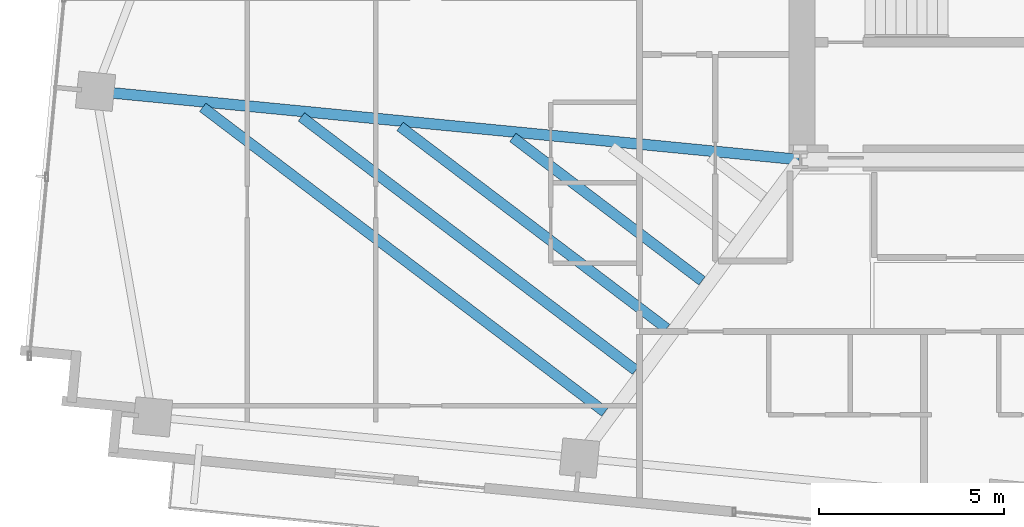
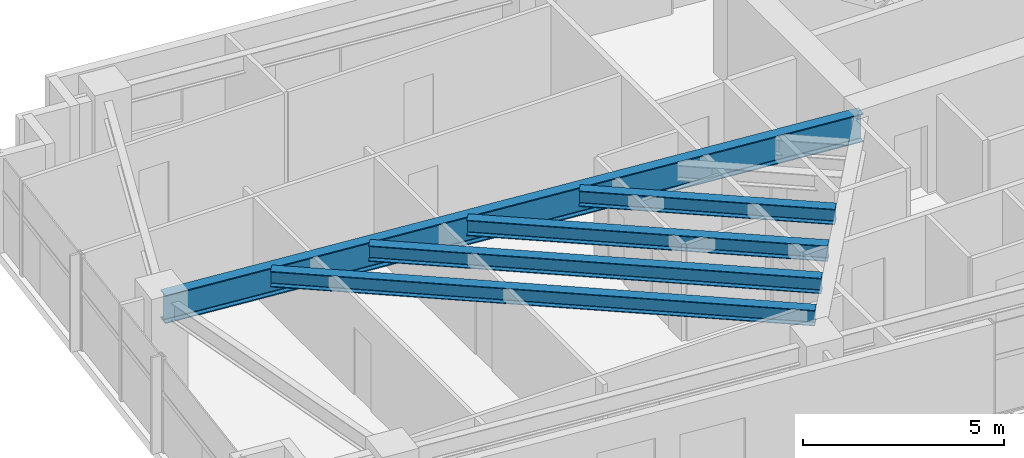
# One storey, part 3 of 19: 5 beams.
"""IFC4 building model written with IfcOpenShell, lengths in metres."""

import ifcopenshell
import ifcopenshell.guid

model = None  # the IFC model being written
_history = None  # IfcOwnerHistory: only IFC2X3 demands one
_inside = {}  # id of a spatial element -> (the spatial element, [elements in it])
_under = {}  # id of a project, library or spatial element -> (it, [spatial elements below it])
_declared = {}  # id of a project -> (the project, [libraries it declares])
_typed = {}  # id of a type object -> (the type object, [elements of that type])
_made_of = {}  # id of a material, layer set ... -> (it, [elements and type objects made of it])


def new_model(schema):
    """Start an empty IFC model of exactly this schema.

    Asked for "IFC4X3", IfcOpenShell would pick the latest addendum, in which some entities
    have other attributes; the version numbers below select the first issue.
    IFC2X3 requires an IfcOwnerHistory on every rooted entity: one is made here for all.
    """
    global model, _history
    if schema == "IFC4X3":
        model = ifcopenshell.file(schema_version=(4, 3, 0, 0))
    else:
        model = ifcopenshell.file(schema=schema)
    _inside.clear()
    _under.clear()
    _declared.clear()
    _typed.clear()
    _made_of.clear()
    _history = None
    if model.schema == "IFC2X3":
        org = make("IfcOrganization", Name="unknown")
        user = make(
            "IfcPersonAndOrganization",
            ThePerson=make("IfcPerson", FamilyName="unknown"),
            TheOrganization=org,
        )
        app = make(
            "IfcApplication",
            ApplicationDeveloper=org,
            Version="unknown",
            ApplicationFullName="unknown",
            ApplicationIdentifier="unknown",
        )
        _history = make(
            "IfcOwnerHistory",
            OwningUser=user,
            OwningApplication=app,
            ChangeAction="ADDED",
            CreationDate=0,
        )
    return model


def make(cls, **values):
    """One entity of the class cls with the attributes given. An attribute that is None is left unset."""
    return model.create_entity(
        cls, **{name: value for name, value in values.items() if value is not None}
    )


def rooted(cls, **values):
    """An entity with a GlobalId (a new one), such as an element, a storey or a relation."""
    return make(cls, GlobalId=ifcopenshell.guid.new(), OwnerHistory=_history, **values)


def si_unit(unit_type, name, prefix=None):
    """IfcSIUnit, for example si_unit("LENGTHUNIT", "METRE", prefix="MILLI")."""
    return make("IfcSIUnit", UnitType=unit_type, Prefix=prefix, Name=name)


def assignment(units):
    """IfcUnitAssignment: the units of a project."""
    return None if units is None else make("IfcUnitAssignment", Units=units)


def point(xyz):
    """IfcCartesianPoint."""
    return None if xyz is None else make("IfcCartesianPoint", Coordinates=xyz)


def direction(xyz):
    """IfcDirection."""
    return None if xyz is None else make("IfcDirection", DirectionRatios=xyz)


def frame(location, z_axis=None, x_axis=None):
    """IfcAxis2Placement3D, a coordinate frame: its origin and axes. An axis left out is left unset."""
    return make(
        "IfcAxis2Placement3D",
        Location=point(location),
        Axis=direction(z_axis),
        RefDirection=direction(x_axis),
    )


def frame_2d(location, x_axis=None):
    """IfcAxis2Placement2D, a coordinate frame in the plane: its origin and x axis."""
    return make(
        "IfcAxis2Placement2D", Location=point(location), RefDirection=direction(x_axis)
    )


def origin():
    """The frame at (0, 0, 0) with its axes left unset."""
    return frame((0.0, 0.0, 0.0))


def origin_2d():
    """The frame at (0, 0) in the plane with its x axis left unset."""
    return frame_2d((0.0, 0.0))


def place(relative_to, where):
    """IfcLocalPlacement: puts the frame where relative to a parent placement (None: the world)."""
    return make(
        "IfcLocalPlacement", PlacementRelTo=relative_to, RelativePlacement=where
    )


def context(
    kind, dimensions, precision=None, world=None, true_north=None, identifier=None
):
    """IfcGeometricRepresentationContext, for example the 3D "Model" context."""
    return make(
        "IfcGeometricRepresentationContext",
        ContextIdentifier=identifier,
        ContextType=kind,
        CoordinateSpaceDimension=dimensions,
        Precision=precision,
        WorldCoordinateSystem=world,
        TrueNorth=true_north,
    )


def subcontext(parent, identifier, kind, view, scale=None):
    """IfcGeometricRepresentationSubContext, for example "Body" below "Model"."""
    return make(
        "IfcGeometricRepresentationSubContext",
        ContextIdentifier=identifier,
        ContextType=kind,
        ParentContext=parent,
        TargetScale=scale,
        TargetView=view,
    )


def project(units=None, contexts=None):
    """IfcProject with its units and contexts."""
    return rooted(
        "IfcProject",
        Name="project",
        RepresentationContexts=contexts,
        UnitsInContext=assignment(units),
    )


def spatial(cls, under=None, at=None, **own):
    """A site, building, storey or space (cls), placed at a placement, below another one or the project."""
    s = rooted(cls, ObjectPlacement=at, **own)
    if under is not None:
        _under.setdefault(under.id(), (under, []))[1].append(s)
    return s


def profile(cls, at=None, kind="AREA", **sizes):
    """A parametric profile (cls). Its sizes go by their IFC names, for example OverallWidth=200.0."""
    return make(cls, ProfileType=kind, Position=at, **sizes)


def i_section(**sizes):
    """IfcIShapeProfileDef."""
    return profile("IfcIShapeProfileDef", **sizes)


def extrude(swept, where, along, depth):
    """IfcExtrudedAreaSolid: the profile swept, set in the frame where, extruded along a direction by depth."""
    return make(
        "IfcExtrudedAreaSolid",
        SweptArea=swept,
        Position=where,
        ExtrudedDirection=direction(along),
        Depth=depth,
    )


def shape(context_of_items, identifier, shape_type, items):
    """IfcShapeRepresentation: the items that make up one representation, for example the "Body"."""
    return make(
        "IfcShapeRepresentation",
        ContextOfItems=context_of_items,
        RepresentationIdentifier=identifier,
        RepresentationType=shape_type,
        Items=items,
    )


def source(mapping_origin, context_of_items, identifier, shape_type, items):
    """IfcRepresentationMap: a shape defined once, which mapped items show again and again."""
    return make(
        "IfcRepresentationMap",
        MappingOrigin=mapping_origin,
        MappedRepresentation=shape(context_of_items, identifier, shape_type, items),
    )


def transform(
    local_origin,
    x_axis=None,
    y_axis=None,
    z_axis=None,
    scale=None,
    scale2=None,
    scale3=None,
    uniform=True,
):
    """IfcCartesianTransformationOperator3D, or its non-uniform kind. x_axis, y_axis, z_axis: its Axis1, 2, 3."""
    if uniform:
        return make(
            "IfcCartesianTransformationOperator3D",
            Axis1=direction(x_axis),
            Axis2=direction(y_axis),
            LocalOrigin=point(local_origin),
            Scale=scale,
            Axis3=direction(z_axis),
        )
    return make(
        "IfcCartesianTransformationOperator3DnonUniform",
        Axis1=direction(x_axis),
        Axis2=direction(y_axis),
        LocalOrigin=point(local_origin),
        Scale=scale,
        Axis3=direction(z_axis),
        Scale2=scale2,
        Scale3=scale3,
    )


def mapped(mapping_source, mapping_target):
    """IfcMappedItem: shows the shape of a source again, moved by a transform."""
    return make(
        "IfcMappedItem", MappingSource=mapping_source, MappingTarget=mapping_target
    )


def material(Name=None, Category=None):
    """IfcMaterial."""
    return make("IfcMaterial", Name=Name, Category=Category)


def material_profile(
    of_material, cross_section, Name=None, Category=None, Priority=None
):
    """IfcMaterialProfile: a cross section and its material."""
    return make(
        "IfcMaterialProfile",
        Name=Name,
        Material=of_material,
        Profile=cross_section,
        Priority=Priority,
        Category=Category,
    )


def profile_set(profiles, Name=None, composite=None):
    """IfcMaterialProfileSet."""
    return make(
        "IfcMaterialProfileSet",
        Name=Name,
        MaterialProfiles=profiles,
        CompositeProfile=composite,
    )


def made_of(thing, what):
    """Note that an element or type object is made of a material, layer set ...; save() writes the relation."""
    if what is not None:
        _made_of.setdefault(what.id(), (what, []))[1].append(thing)
    return thing


def type_object(cls, material=None, **own):
    """A type object (cls), such as IfcWallType, which elements share."""
    return made_of(rooted(cls, **own), material)


def type_shapes(of_type, sources):
    """Give a type object the sources (RepresentationMaps) that its elements show as mapped items."""
    of_type.RepresentationMaps = sources


def element(
    cls,
    number,
    at=None,
    inside=None,
    cuts=None,
    type_object=None,
    material=None,
    context=None,
    identifier="Body",
    shape_type=None,
    held_by="IfcProductDefinitionShape",
    body=None,
    shapes=None,
    **own,
):
    """One element of the class cls, such as IfcWall. Its Tag is "e" and its number.

    at: its placement. inside: the storey or other place that contains it. cuts: it is an
    opening in that element (IfcRelVoidsElement). A single representation is given by context,
    identifier, shape_type and body (its items); several are given by shapes. held_by: the class
    of the entity that holds the representations. save() writes the other relations.
    """
    e = rooted(cls, Tag="e%d" % number, ObjectPlacement=at, **own)
    if body is not None:
        shapes = [shape(context, identifier, shape_type, body)]
    if shapes is not None:
        e.Representation = make(held_by, Representations=shapes)
    if inside is not None:
        _inside.setdefault(inside.id(), (inside, []))[1].append(e)
    if cuts is not None:
        rooted(
            "IfcRelVoidsElement", RelatingBuildingElement=cuts, RelatedOpeningElement=e
        )
    if type_object is not None:
        _typed.setdefault(type_object.id(), (type_object, []))[1].append(e)
    return made_of(e, material)


def aggregate(whole, parts):
    """IfcRelAggregates: a whole, such as a stair, and the parts it consists of."""
    return rooted("IfcRelAggregates", RelatingObject=whole, RelatedObjects=parts)


def save(model, path):
    """Write the relations noted so far, then the file.

    IfcRelAggregates (storeys below a building ...), IfcRelContainedInSpatialStructure (elements
    in a storey), IfcRelDefinesByType, IfcRelAssociatesMaterial and IfcRelDeclares: one each for
    every whole, place, type object, material and project.
    """
    for whole, parts in _under.values():
        aggregate(whole, parts)
    for where, things in _inside.values():
        rooted(
            "IfcRelContainedInSpatialStructure",
            RelatedElements=things,
            RelatingStructure=where,
        )
    for kind, things in _typed.values():
        rooted("IfcRelDefinesByType", RelatedObjects=things, RelatingType=kind)
    for what, things in _made_of.values():
        rooted("IfcRelAssociatesMaterial", RelatedObjects=things, RelatingMaterial=what)
    for by, libraries in _declared.values():
        rooted("IfcRelDeclares", RelatingContext=by, RelatedDefinitions=libraries)
    model.write(path)


model = new_model("IFC4")

# Units and contexts
model_context = context("Model", 3, precision=1e-05, world=origin(), true_north=direction((0.0, 1.0)))
body_context = subcontext(model_context, "Body", "Model", "MODEL_VIEW")
ifc_project = project(units=[si_unit("LENGTHUNIT", "METRE"), si_unit("AREAUNIT", "SQUARE_METRE"), si_unit("VOLUMEUNIT", "CUBIC_METRE"), si_unit("PLANEANGLEUNIT", "RADIAN"), si_unit("MASSUNIT", "GRAM", prefix="KILO")], contexts=[model_context])

# Site, building, storey
site_placement = place(None, origin())
site = spatial("IfcSite", under=ifc_project, at=site_placement, CompositionType="ELEMENT")
building_placement = place(site_placement, origin())
building = spatial("IfcBuilding", under=site, at=building_placement, Name="Astriad Promenade Condominiums", CompositionType="ELEMENT")
storey_placement = place(building_placement, frame((0.0, 0.0, 147.0)))
storey = spatial("IfcBuildingStorey", under=building, at=storey_placement, Name="L42", CompositionType="ELEMENT", Elevation=147.0)

# Beams
ifc_material = material(Name="Steel ASTM A992 Grade 50", Category="steel")
ifc_material_profile_1 = material_profile(ifc_material, i_section(OverallWidth=0.2919921875, OverallDepth=0.85888671875, WebThickness=0.01708984375, FlangeThickness=0.031005859375, FilletRadius=0.02294921875, at=origin_2d()), Name="W33X169")
ifc_profile_set_1 = profile_set([ifc_material_profile_1], Name="Steel ASTM A992 Grade 50")
beam_type_1 = type_object("IfcBeamType", Name="STEEL PRIMARY GIRDER W33X169", PredefinedType="BEAM", material=ifc_profile_set_1)
shared_shape_1 = source(origin(), body_context, "Body", "SweptSolid", [
    extrude(i_section(OverallWidth=0.2919921875, OverallDepth=0.85888671875, WebThickness=0.01708984375, FlangeThickness=0.031005859375, FilletRadius=0.02294921875, at=origin_2d()), origin(), (0.0, 0.0, 1.0), 19.07177734375),
])
type_shapes(beam_type_1, [shared_shape_1])
beam_1_placement = place(storey_placement, frame((7.377685546875, 19.247802734375, 2.510498046875), z_axis=(0.995314830032, -0.096687068001, 0.0), x_axis=(0.096687068001, 0.995314830032, 0.0)))
element("IfcBeam", 1, at=beam_1_placement, inside=storey, type_object=beam_type_1, Name="Primary Floor Girder PG-WM-L42", PredefinedType="BEAM", context=body_context, shape_type="MappedRepresentation", body=[
    mapped(shared_shape_1, transform((0.0, 0.0, 0.0), scale=1.0)),
])
ifc_material_profile_2 = material_profile(ifc_material, i_section(OverallWidth=0.283203125, OverallDepth=0.47216796875, WebThickness=0.013671875, FlangeThickness=0.022216796875, FilletRadius=0.01513671875, at=origin_2d()), Name="W18X97")
ifc_profile_set_2 = profile_set([ifc_material_profile_2], Name="Steel ASTM A992 Grade 50")
beam_type_2 = type_object("IfcBeamType", Name="STEEL FLOOR JOIST W18X97", PredefinedType="JOIST", material=ifc_profile_set_2)
shared_shape_2 = source(origin(), body_context, "Body", "SweptSolid", [
    extrude(i_section(OverallWidth=0.283203125, OverallDepth=0.47216796875, WebThickness=0.013671875, FlangeThickness=0.022216796875, FilletRadius=0.01513671875, at=origin_2d()), origin(), (0.0, 0.0, 1.0), 13.64697265625),
])
beam_2_placement = place(storey_placement, frame((10.236572265625, 18.818115234375, 2.703857421875), z_axis=(0.796973667543, -0.604014050534, 0.0), x_axis=(0.604014050534, 0.796973667543, 0.0)))
element("IfcBeam", 2, at=beam_2_placement, inside=storey, type_object=beam_type_2, Name="Secondary Composite Floor Joist JW1-1-L42", PredefinedType="JOIST", context=body_context, shape_type="MappedRepresentation", body=[
    mapped(shared_shape_2, transform((0.0, 0.0, 0.0), scale=1.0)),
])
shared_shape_3 = source(origin(), body_context, "Body", "SweptSolid", [
    extrude(i_section(OverallWidth=0.283203125, OverallDepth=0.47216796875, WebThickness=0.013671875, FlangeThickness=0.022216796875, FilletRadius=0.01513671875, at=origin_2d()), origin(), (0.0, 0.0, 1.0), 11.347412109375),
])
beam_3_placement = place(storey_placement, frame((12.9052734375, 18.558837890625, 2.703857421875), z_axis=(0.796976964849, -0.60400969984, 0.0), x_axis=(0.60400969984, 0.796976964849, 0.0)))
element("IfcBeam", 3, at=beam_3_placement, inside=storey, type_object=beam_type_2, Name="Secondary Composite Floor Joist JW1-2-L42", PredefinedType="JOIST", context=body_context, shape_type="MappedRepresentation", body=[
    mapped(shared_shape_3, transform((0.0, 0.0, 0.0), scale=1.0)),
])
shared_shape_4 = source(origin(), body_context, "Body", "SweptSolid", [
    extrude(i_section(OverallWidth=0.283203125, OverallDepth=0.47216796875, WebThickness=0.013671875, FlangeThickness=0.022216796875, FilletRadius=0.01513671875, at=origin_2d()), origin(), (0.0, 0.0, 1.0), 9.048095703125),
])
beam_4_placement = place(storey_placement, frame((15.573974609375, 18.299560546875, 2.703857421875), z_axis=(0.796981937997, -0.604003137829, 0.0), x_axis=(0.604003137829, 0.796981937997, 0.0)))
element("IfcBeam", 4, at=beam_4_placement, inside=storey, type_object=beam_type_2, Name="Secondary Composite Floor Joist JW1-3-L42", PredefinedType="JOIST", context=body_context, shape_type="MappedRepresentation", body=[
    mapped(shared_shape_4, transform((0.0, 0.0, 0.0), scale=1.0)),
])
shared_shape_5 = source(origin(), body_context, "Body", "SweptSolid", [
    extrude(i_section(OverallWidth=0.283203125, OverallDepth=0.47216796875, WebThickness=0.013671875, FlangeThickness=0.022216796875, FilletRadius=0.01513671875, at=origin_2d()), origin(), (0.0, 0.0, 1.0), 6.420654296875),
])
type_shapes(beam_type_2, [shared_shape_2, shared_shape_3, shared_shape_4, shared_shape_5])
beam_5_placement = place(storey_placement, frame((18.6240234375, 18.00341796875, 2.703857421875), z_axis=(0.796964567146, -0.604026057976, 0.0), x_axis=(0.604026057976, 0.796964567146, 0.0)))
element("IfcBeam", 5, at=beam_5_placement, inside=storey, type_object=beam_type_2, Name="Secondary Composite Floor Joist JW1-4-L42", PredefinedType="JOIST", context=body_context, shape_type="MappedRepresentation", body=[
    mapped(shared_shape_5, transform((0.0, 0.0, 0.0), scale=1.0)),
])

save(model, "model.ifc")
